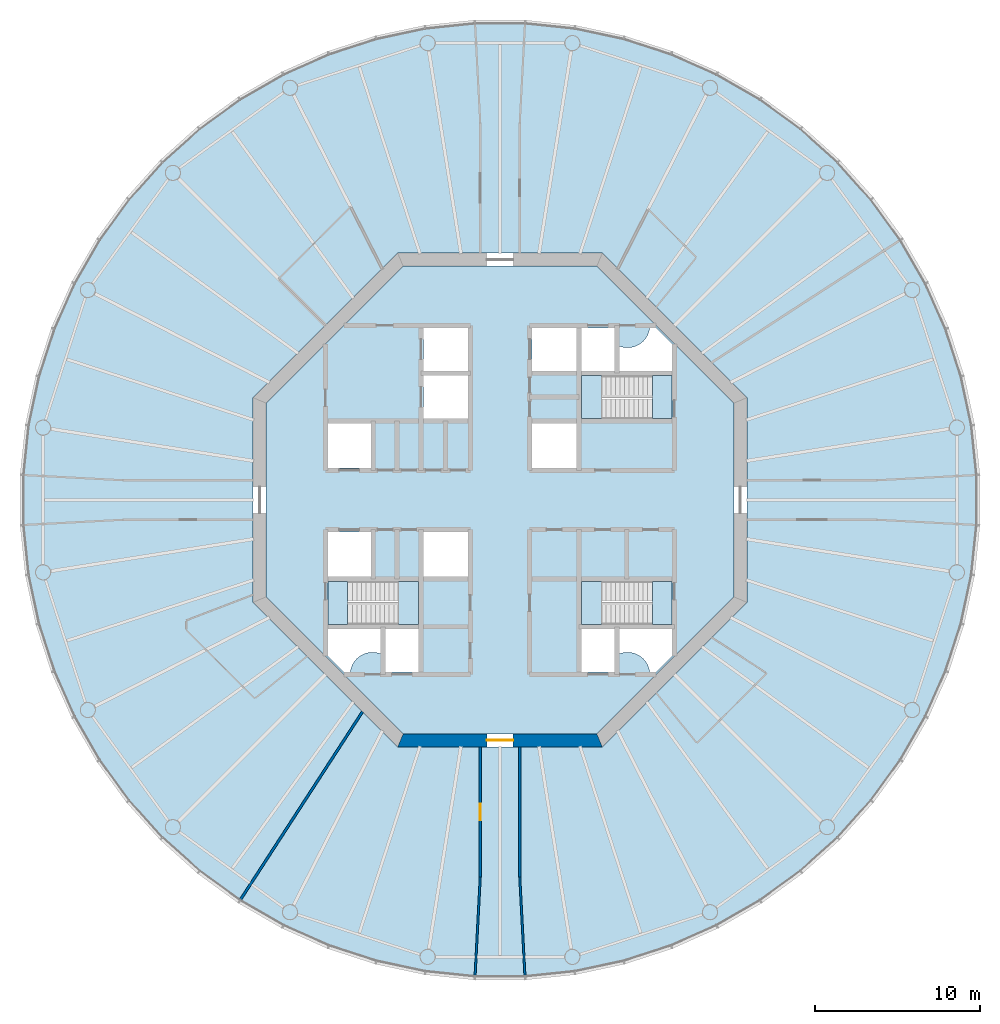
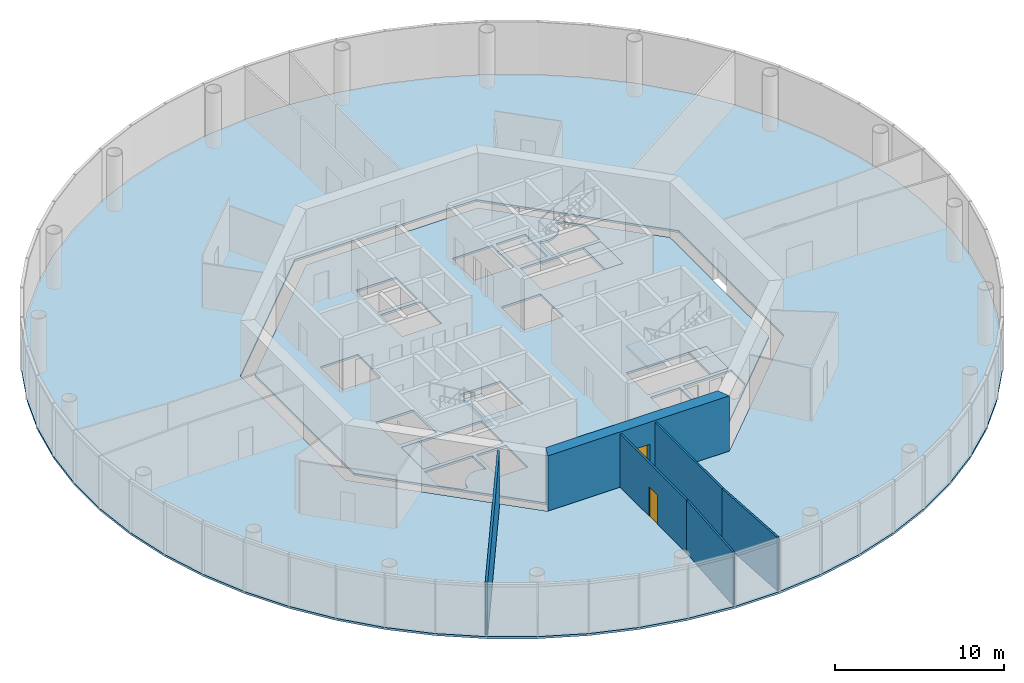
# One storey, part 2 of 13: 8 slabs, 6 walls, 2 doors, 2 openings, 3 elements without a shape of their own.
"""IFC4 building model written with IfcOpenShell, lengths in metres."""

from ifc_helpers import new_model, si_unit, direction, frame, frame_2d, origin, place, context, subcontext, project, spatial, polyline, rectangle, outline, extrude, material, layer, layer_set, type_object, element, fill, aggregate, save


model = new_model("IFC4")

# Units and contexts
model_context = context("Model", 3, precision=1e-05, world=origin(), true_north=direction((0.0, 1.0)))
body_context = subcontext(model_context, "Body", "Model", "MODEL_VIEW")
ifc_project = project(units=[si_unit("LENGTHUNIT", "METRE"), si_unit("AREAUNIT", "SQUARE_METRE"), si_unit("VOLUMEUNIT", "CUBIC_METRE"), si_unit("PLANEANGLEUNIT", "RADIAN"), si_unit("MASSUNIT", "GRAM", prefix="KILO")], contexts=[model_context])

# Site, building, storey
site_placement = place(None, origin())
site = spatial("IfcSite", under=ifc_project, at=site_placement, CompositionType="ELEMENT")
building_placement = place(site_placement, origin())
building = spatial("IfcBuilding", under=site, at=building_placement, Name="Entoto Ring Tower", CompositionType="ELEMENT")
storey_placement = place(building_placement, frame((0.0, 0.0, 302.0)))
storey = spatial("IfcBuildingStorey", under=building, at=storey_placement, Name="L69", CompositionType="ELEMENT", Elevation=302.0)

# Slabs
ifc_material_1 = material(Name="Concrete C30/37", Category="concrete")
ifc_layer_1 = layer(ifc_material_1, 0.14990234375)
ifc_layer_set_1 = layer_set([ifc_layer_1], Name="Concrete C30/37")
slab_type_1 = type_object("IfcSlabType", Name="Composite floor slab 150 mm", PredefinedType="FLOOR", material=ifc_layer_set_1)
slab_1_placement = place(storey_placement, frame((0.0, 0.0, -0.14990234375)))
element("IfcSlab", 1, at=slab_1_placement, inside=storey, type_object=slab_type_1, Name="Floor slab L69", PredefinedType="FLOOR", context=body_context, shape_type="SweptSolid", body=[
    extrude(outline(polyline([(118.74169921875, 84.55224609375), (118.1083984375, 87.53173828125), (117.167236328125, 90.428466796875), (115.92822265625, 93.211181640625), (114.4052734375, 95.848876953125), (112.614990234375, 98.313232421875), (110.576904296875, 100.576904296875), (108.313232421875, 102.614990234375), (105.848876953125, 104.4052734375), (103.211181640625, 105.92822265625), (100.428466796875, 107.167236328125), (97.53173828125, 108.1083984375), (94.55224609375, 108.74169921875), (91.52294921875, 109.06005859375), (88.47705078125, 109.06005859375), (85.44775390625, 108.74169921875), (82.46826171875, 108.1083984375), (79.571533203125, 107.167236328125), (76.788818359375, 105.92822265625), (74.151123046875, 104.4052734375), (71.686767578125, 102.614990234375), (69.423095703125, 100.576904296875), (67.385009765625, 98.313232421875), (65.5947265625, 95.848876953125), (64.07177734375, 93.211181640625), (62.832763671875, 90.428466796875), (61.8916015625, 87.53173828125), (61.25830078125, 84.55224609375), (60.93994140625, 81.52294921875), (60.93994140625, 78.47705078125), (61.25830078125, 75.44775390625), (61.8916015625, 72.46826171875), (62.832763671875, 69.571533203125), (64.07177734375, 66.788818359375), (65.5947265625, 64.151123046875), (67.385009765625, 61.686767578125), (69.423095703125, 59.423095703125), (71.686767578125, 57.385009765625), (74.151123046875, 55.5947265625), (76.788818359375, 54.07177734375), (79.571533203125, 52.832763671875), (82.46826171875, 51.8916015625), (85.44775390625, 51.25830078125), (88.47705078125, 50.93994140625), (91.52294921875, 50.93994140625), (94.55224609375, 51.25830078125), (97.53173828125, 51.8916015625), (100.428466796875, 52.832763671875), (103.211181640625, 54.07177734375), (105.848876953125, 55.5947265625), (108.313232421875, 57.385009765625), (110.576904296875, 59.423095703125), (112.614990234375, 61.686767578125), (114.4052734375, 64.151123046875), (115.92822265625, 66.788818359375), (117.167236328125, 69.571533203125), (118.1083984375, 72.46826171875), (118.74169921875, 75.44775390625), (119.06005859375, 78.47705078125), (119.06005859375, 81.52294921875), (118.74169921875, 84.55224609375)]), holes=[polyline([(105.0, 73.786865234375), (105.0, 86.213134765625), (96.213134765625, 95.0), (83.786865234375, 95.0), (75.0, 86.213134765625), (75.0, 73.786865234375), (83.786865234375, 65.0), (96.213134765625, 65.0), (105.0, 73.786865234375)])]), origin(), (0.0, 0.0, 1.0), 0.14990234375),
])
ifc_material_2 = material(Name="Concrete C40/50", Category="concrete")
ifc_layer_2 = layer(ifc_material_2, 0.14990234375)
ifc_layer_set_2 = layer_set([ifc_layer_2], Name="Concrete C40/50")
slab_type_2 = type_object("IfcSlabType", Name="Core floor slab 150 mm reinforced concrete C40/50", PredefinedType="FLOOR", material=ifc_layer_set_2)
slab_2_placement = place(storey_placement, frame((0.0, 0.0, -0.14990234375)))
element("IfcSlab", 2, at=slab_2_placement, inside=storey, type_object=slab_type_2, Name="Core floor L69", PredefinedType="FLOOR", context=body_context, shape_type="SweptSolid", body=[
    extrude(outline(polyline([(104.199951171875, 74.1181640625), (104.199951171875, 85.8818359375), (95.8818359375, 94.199951171875), (84.1181640625, 94.199951171875), (75.800048828125, 85.8818359375), (75.800048828125, 74.1181640625), (84.1181640625, 65.800048828125), (95.8818359375, 65.800048828125), (104.199951171875, 74.1181640625)]), holes=[polyline([(100.449951171875, 84.949951171875), (100.449951171875, 87.550048828125), (94.949951171875, 87.550048828125), (94.949951171875, 84.949951171875), (100.449951171875, 84.949951171875)]), polyline([(85.050048828125, 72.449951171875), (85.050048828125, 75.050048828125), (79.550048828125, 75.050048828125), (79.550048828125, 72.449951171875), (85.050048828125, 72.449951171875)]), polyline([(100.449951171875, 72.449951171875), (100.449951171875, 75.050048828125), (94.949951171875, 75.050048828125), (94.949951171875, 72.449951171875), (100.449951171875, 72.449951171875)]), polyline([(94.949951171875, 90.449951171875), (94.949951171875, 87.85009765625), (96.949951171875, 87.85009765625), (96.949951171875, 90.449951171875), (94.949951171875, 90.449951171875)]), polyline([(94.949951171875, 72.14990234375), (94.949951171875, 69.550048828125), (96.949951171875, 69.550048828125), (96.949951171875, 72.14990234375), (94.949951171875, 72.14990234375)]), polyline([(83.050048828125, 72.14990234375), (83.050048828125, 69.550048828125), (85.050048828125, 69.550048828125), (85.050048828125, 72.14990234375), (83.050048828125, 72.14990234375)]), polyline([(79.550048828125, 81.949951171875), (82.14990234375, 81.949951171875), (82.14990234375, 84.64990234375), (79.550048828125, 84.64990234375), (79.550048828125, 81.949951171875)]), polyline([(79.550048828125, 75.35009765625), (82.14990234375, 75.35009765625), (82.14990234375, 78.050048828125), (79.550048828125, 78.050048828125), (79.550048828125, 75.35009765625)]), polyline([(91.949951171875, 87.85009765625), (94.64990234375, 87.85009765625), (94.64990234375, 90.449951171875), (91.949951171875, 90.449951171875), (91.949951171875, 87.85009765625)]), polyline([(91.949951171875, 81.949951171875), (94.64990234375, 81.949951171875), (94.64990234375, 84.64990234375), (91.949951171875, 84.64990234375), (91.949951171875, 81.949951171875)]), polyline([(85.35009765625, 75.35009765625), (88.050048828125, 75.35009765625), (88.050048828125, 78.050048828125), (85.35009765625, 78.050048828125), (85.35009765625, 75.35009765625)]), polyline([(85.35009765625, 84.949951171875), (88.050048828125, 84.949951171875), (88.050048828125, 87.550048828125), (85.35009765625, 87.550048828125), (85.35009765625, 84.949951171875)]), polyline([(85.35009765625, 87.85009765625), (88.050048828125, 87.85009765625), (88.050048828125, 90.449951171875), (85.35009765625, 90.449951171875), (85.35009765625, 87.85009765625)]), polyline([(97.199951171875, 89.368408203125), (97.199951171875, 87.800048828125), (100.5, 87.800048828125), (100.5, 89.4404296875), (99.4404296875, 90.5), (99.09521484375, 90.5), (99.093505859375, 90.4677734375), (99.07421875, 90.336669921875), (99.0419921875, 90.2080078125), (98.997314453125, 90.08349609375), (98.940673828125, 89.963623046875), (98.87255859375, 89.85009765625), (98.793701171875, 89.74365234375), (98.70458984375, 89.6455078125), (98.6064453125, 89.556396484375), (98.5, 89.4775390625), (98.386474609375, 89.409423828125), (98.2666015625, 89.352783203125), (98.141845703125, 89.30810546875), (98.013427734375, 89.27587890625), (97.88232421875, 89.256591796875), (97.75, 89.25), (97.61767578125, 89.256591796875), (97.486572265625, 89.27587890625), (97.358154296875, 89.30810546875), (97.2333984375, 89.352783203125), (97.199951171875, 89.368408203125)]), polyline([(80.5595703125, 69.5), (80.90478515625, 69.5), (80.906494140625, 69.5322265625), (80.92578125, 69.663330078125), (80.9580078125, 69.7919921875), (81.002685546875, 69.91650390625), (81.059326171875, 70.036376953125), (81.12744140625, 70.14990234375), (81.206298828125, 70.25634765625), (81.29541015625, 70.3544921875), (81.3935546875, 70.443603515625), (81.5, 70.5224609375), (81.613525390625, 70.590576171875), (81.7333984375, 70.647216796875), (81.858154296875, 70.69189453125), (81.986572265625, 70.72412109375), (82.11767578125, 70.743408203125), (82.25, 70.75), (82.38232421875, 70.743408203125), (82.513427734375, 70.72412109375), (82.641845703125, 70.69189453125), (82.7666015625, 70.647216796875), (82.800048828125, 70.631591796875), (82.800048828125, 72.199951171875), (79.5, 72.199951171875), (79.5, 70.5595703125), (80.5595703125, 69.5)]), polyline([(99.09521484375, 69.5), (99.4404296875, 69.5), (100.5, 70.5595703125), (100.5, 72.199951171875), (97.199951171875, 72.199951171875), (97.199951171875, 70.631591796875), (97.2333984375, 70.647216796875), (97.358154296875, 70.69189453125), (97.486572265625, 70.72412109375), (97.61767578125, 70.743408203125), (97.75, 70.75), (97.88232421875, 70.743408203125), (98.013427734375, 70.72412109375), (98.141845703125, 70.69189453125), (98.2666015625, 70.647216796875), (98.386474609375, 70.590576171875), (98.5, 70.5224609375), (98.6064453125, 70.443603515625), (98.70458984375, 70.3544921875), (98.793701171875, 70.25634765625), (98.87255859375, 70.14990234375), (98.940673828125, 70.036376953125), (98.997314453125, 69.91650390625), (99.0419921875, 69.7919921875), (99.07421875, 69.663330078125), (99.093505859375, 69.5322265625), (99.09521484375, 69.5)])]), origin(), (0.0, 0.0, 1.0), 0.14990234375),
])

# Stair, slabs
ifc_material_3 = material(Name="Concrete C40/50", Category="concrete")
stair_type = type_object("IfcStairType", Name="Exit stair 1200 mm dog-leg reinforced concrete", PredefinedType="HALF_TURN_STAIR", material=ifc_material_3)
stair_1_placement = place(storey_placement, origin())
stair_1 = element("IfcStair", 3, at=stair_1_placement, inside=storey, type_object=stair_type, Name="Exit stair 1", PredefinedType="HALF_TURN_STAIR")
ifc_material_4 = material(Name="Concrete C40/50", Category="concrete")
ifc_layer_3 = layer(ifc_material_4, 0.199951171875)
ifc_layer_set_3 = layer_set([ifc_layer_3], Name="Concrete C40/50")
slab_type_3 = type_object("IfcSlabType", Name="Stair landing 200 mm reinforced concrete", PredefinedType="LANDING", material=ifc_layer_set_3)
slab_3_placement = place(storey_placement, frame((0.0, 0.0, -0.199951171875)))
slab_3 = element("IfcSlab", 4, at=slab_3_placement, type_object=slab_type_3, Name="ST1 landing 1", PredefinedType="LANDING", context=body_context, shape_type="SweptSolid", body=[
    extrude(outline(polyline([(100.449951171875, 84.949951171875), (100.449951171875, 87.550048828125), (99.25, 87.550048828125), (99.25, 84.949951171875), (100.449951171875, 84.949951171875)])), origin(), (0.0, 0.0, 1.0), 0.199951171875),
])
slab_4_placement = place(storey_placement, frame((0.0, 0.0, 1.800048828125)))
slab_4 = element("IfcSlab", 5, at=slab_4_placement, type_object=slab_type_3, Name="ST1 landing 2", PredefinedType="LANDING", context=body_context, shape_type="SweptSolid", body=[
    extrude(outline(polyline([(94.949951171875, 84.949951171875), (96.169921875, 84.949951171875), (96.169921875, 87.550048828125), (94.949951171875, 87.550048828125), (94.949951171875, 84.949951171875)])), origin(), (0.0, 0.0, 1.0), 0.199951171875),
])
aggregate(stair_1, [slab_3, slab_4])

stair_2_placement = place(storey_placement, origin())
stair_2 = element("IfcStair", 6, at=stair_2_placement, inside=storey, type_object=stair_type, Name="Exit stair 2", PredefinedType="HALF_TURN_STAIR")
slab_5_placement = place(storey_placement, frame((0.0, 0.0, -0.199951171875)))
slab_5 = element("IfcSlab", 7, at=slab_5_placement, type_object=slab_type_3, Name="ST2 landing 1", PredefinedType="LANDING", context=body_context, shape_type="SweptSolid", body=[
    extrude(outline(polyline([(80.75, 72.449951171875), (80.75, 75.050048828125), (79.550048828125, 75.050048828125), (79.550048828125, 72.449951171875), (80.75, 72.449951171875)])), origin(), (0.0, 0.0, 1.0), 0.199951171875),
])
slab_6_placement = place(storey_placement, frame((0.0, 0.0, 1.800048828125)))
slab_6 = element("IfcSlab", 8, at=slab_6_placement, type_object=slab_type_3, Name="ST2 landing 2", PredefinedType="LANDING", context=body_context, shape_type="SweptSolid", body=[
    extrude(outline(polyline([(83.830078125, 72.449951171875), (85.050048828125, 72.449951171875), (85.050048828125, 75.050048828125), (83.830078125, 75.050048828125), (83.830078125, 72.449951171875)])), origin(), (0.0, 0.0, 1.0), 0.199951171875),
])
aggregate(stair_2, [slab_5, slab_6])

stair_3_placement = place(storey_placement, origin())
stair_3 = element("IfcStair", 9, at=stair_3_placement, inside=storey, type_object=stair_type, Name="Exit stair 3", PredefinedType="HALF_TURN_STAIR")
slab_7_placement = place(storey_placement, frame((0.0, 0.0, -0.199951171875)))
slab_7 = element("IfcSlab", 10, at=slab_7_placement, type_object=slab_type_3, Name="ST3 landing 1", PredefinedType="LANDING", context=body_context, shape_type="SweptSolid", body=[
    extrude(outline(polyline([(100.449951171875, 72.449951171875), (100.449951171875, 75.050048828125), (99.25, 75.050048828125), (99.25, 72.449951171875), (100.449951171875, 72.449951171875)])), origin(), (0.0, 0.0, 1.0), 0.199951171875),
])
slab_8_placement = place(storey_placement, frame((0.0, 0.0, 1.800048828125)))
slab_8 = element("IfcSlab", 11, at=slab_8_placement, type_object=slab_type_3, Name="ST3 landing 2", PredefinedType="LANDING", context=body_context, shape_type="SweptSolid", body=[
    extrude(outline(polyline([(94.949951171875, 72.449951171875), (96.169921875, 72.449951171875), (96.169921875, 75.050048828125), (94.949951171875, 75.050048828125), (94.949951171875, 72.449951171875)])), origin(), (0.0, 0.0, 1.0), 0.199951171875),
])
aggregate(stair_3, [slab_7, slab_8])

# Wall, opening, door
ifc_material_5 = material(Name="Concrete C40/50", Category="concrete")
ifc_layer_4 = layer(ifc_material_5, 0.800048828125)
ifc_layer_set_4 = layer_set([ifc_layer_4], Name="Concrete C40/50")
wall_type_1 = type_object("IfcWallType", Name="Core shear wall 800 mm reinforced concrete C40/50", PredefinedType="SHEAR", material=ifc_layer_set_4)
wall_1_placement = place(storey_placement, frame((83.952392578125, 65.39990234375, 0.0), z_axis=(0.0, 0.0, 1.0), x_axis=(1.0, 0.0, 0.0)))
wall_1 = element("IfcWall", 12, at=wall_1_placement, inside=storey, type_object=wall_type_1, Name="wall-L69-core-6", PredefinedType="SHEAR", context=body_context, shape_type="SweptSolid", body=[
    extrude(outline(polyline([(-0.165771484375, -0.39990234375), (12.260986328125, -0.39990234375), (11.929443359375, 0.39990234375), (0.165771484375, 0.39990234375), (-0.165771484375, -0.39990234375)])), origin(), (0.0, 0.0, 1.0), 4.0),
])
opening_1_placement = place(wall_1_placement, frame((5.24755859375, 0.0, 0.0)))
opening_1 = element("IfcOpeningElement", 13, at=opening_1_placement, cuts=wall_1, Name="Opening K-04", PredefinedType="OPENING", context=body_context, shape_type="SweptSolid", body=[
    extrude(rectangle(XDim=1.60009765625, YDim=2.39990234375, at=frame_2d((0.800048828125, 1.199951171875))), frame((0.0, 0.41015625, 0.0), z_axis=(0.0, -1.0, 0.0), x_axis=(1.0, 0.0, 0.0)), (0.0, 0.0, 1.0), 0.820068359375),
])
ifc_material_6 = material(Name="Steel door leaf, fire rated", Category="steel")
ifc_layer_5 = layer(ifc_material_6, 0.050048828125)
ifc_layer_set_5 = layer_set([ifc_layer_5], Name="Steel door leaf, fire rated")
door_type_1 = type_object("IfcDoorType", Name="Entrance door FD60 1600 x 2400 double leaf", OperationType="DOUBLE_DOOR_SINGLE_SWING", PredefinedType="DOOR", material=ifc_layer_set_5)
door_1_placement = place(opening_1_placement, origin())
door_1 = element("IfcDoor", 14, at=door_1_placement, inside=storey, type_object=door_type_1, Name="Entrance door K-04", OperationType="DOUBLE_DOOR_SINGLE_SWING", OverallHeight=2.39990234375, OverallWidth=1.60009765625, PredefinedType="DOOR", context=body_context, shape_type="SweptSolid", body=[
    extrude(rectangle(XDim=1.60009765625, YDim=2.39990234375, at=frame_2d((0.800048828125, 1.199951171875))), frame((0.0, 0.02490234375, 0.0), z_axis=(0.0, -1.0, 0.0), x_axis=(1.0, 0.0, 0.0)), (0.0, 0.0, 1.0), 0.050048828125),
])
fill(opening_1, door_1)

ifc_material_7 = material(Name="Fire-resisting plasterboard on steel studs", Category="steel")
ifc_layer_6 = layer(ifc_material_7, 0.125)
ifc_layer_set_6 = layer_set([ifc_layer_6], Name="Fire-resisting plasterboard on steel studs")
wall_type_2 = type_object("IfcWallType", Name="Corridor wall 125 mm one-hour plasterboard on steel studs", PredefinedType="PARTITIONING", material=ifc_layer_set_6)
wall_2_placement = place(storey_placement, frame((88.800048828125, 57.1025390625, 0.0), z_axis=(0.0, 0.0, 1.0), x_axis=(0.0, 1.0, 0.0)))
wall_2 = element("IfcWall", 15, at=wall_2_placement, inside=storey, type_object=wall_type_2, Name="partition-L69-003", PredefinedType="PARTITIONING", context=body_context, shape_type="SweptSolid", body=[
    extrude(rectangle(XDim=7.8974609375, YDim=0.125, at=frame_2d((3.94873046875, 0.0))), origin(), (0.0, 0.0, 1.0), 3.85009765625),
])
opening_2_placement = place(wall_2_placement, frame((3.44873046875, 0.0, 0.0)))
opening_2 = element("IfcOpeningElement", 16, at=opening_2_placement, cuts=wall_2, Name="Opening A30-D08", PredefinedType="OPENING", context=body_context, shape_type="SweptSolid", body=[
    extrude(rectangle(XDim=1.0, YDim=2.10009765625, at=frame_2d((0.5, 1.050048828125))), frame((0.0, 0.072509765625, 0.0), z_axis=(0.0, -1.0, 0.0), x_axis=(1.0, 0.0, 0.0)), (0.0, 0.0, 1.0), 0.14501953125),
])
ifc_material_8 = material(Name="Fire-resisting timber door set", Category="wood")
door_type_2 = type_object("IfcDoorType", Name="Door 1000 x 2100 single leaf FD30S fire door", OperationType="NOTDEFINED", PredefinedType="DOOR", material=ifc_material_8)
door_2_placement = place(opening_2_placement, origin())
door_2 = element("IfcDoor", 17, at=door_2_placement, inside=storey, type_object=door_type_2, Name="Door A30-D08", OperationType="SINGLE_SWING_RIGHT", OverallHeight=2.10009765625, OverallWidth=1.0, PredefinedType="DOOR", context=body_context, shape_type="SweptSolid", body=[
    extrude(rectangle(XDim=1.0, YDim=2.10009765625, at=frame_2d((0.5, 1.050048828125))), frame((0.0, 0.02490234375, 0.0), z_axis=(0.0, -1.0, 0.0), x_axis=(1.0, 0.0, 0.0)), (0.0, 0.0, 1.0), 0.050048828125),
])
fill(opening_2, door_2)

# Walls
wall_3_placement = place(storey_placement, frame((91.199951171875, 57.1025390625, 0.0), z_axis=(0.0, 0.0, 1.0), x_axis=(0.0, 1.0, 0.0)))
element("IfcWall", 18, at=wall_3_placement, inside=storey, type_object=wall_type_2, Name="partition-L69-005", PredefinedType="PARTITIONING", context=body_context, shape_type="SweptSolid", body=[
    extrude(rectangle(XDim=7.8974609375, YDim=0.125, at=frame_2d((3.94873046875, 0.0))), origin(), (0.0, 0.0, 1.0), 3.85009765625),
])
for number, where, z_axis, x_axis, name in (
    (19, (88.4853515625, 51.099609375, 0.0), (0.0, 0.0, 1.0), (0.052339150565, 0.998629367342, 0.0), "partition-L69-011"),
    (20, (91.5146484375, 51.099609375, 0.0), (0.0, 0.0, 1.0), (-0.052339150565, 0.998629367342, 0.0), "partition-L69-014"),
):
    element("IfcWall", number, at=place(storey_placement, frame(where, z_axis=z_axis, x_axis=x_axis)), inside=storey, type_object=wall_type_2, Name=name, PredefinedType="PARTITIONING", context=body_context, shape_type="SweptSolid", body=[
        extrude(rectangle(XDim=6.008056640625, YDim=0.125, at=frame_2d((3.00390625, 0.0))), origin(), (0.0, 0.0, 1.0), 3.85009765625),
    ])
ifc_material_9 = material(Name="Fire-resisting acoustic plasterboard on steel studs", Category="steel")
ifc_layer_7 = layer(ifc_material_9, 0.14990234375)
ifc_layer_set_7 = layer_set([ifc_layer_7], Name="Fire-resisting acoustic plasterboard on steel studs")
wall_type_3 = type_object("IfcWallType", Name="Party wall 150 mm one-hour acoustic plasterboard on steel studs", PredefinedType="PARTITIONING", material=ifc_layer_set_7)
wall_4_placement = place(storey_placement, frame((74.238037109375, 55.72900390625, 0.0), z_axis=(0.0, 0.0, 1.0), x_axis=(0.544650850813, 0.838662894558, 0.0)))
element("IfcWall", 21, at=wall_4_placement, inside=storey, type_object=wall_type_3, Name="partition-L69-017", PredefinedType="PARTITIONING", context=body_context, shape_type="SweptSolid", body=[
    extrude(rectangle(XDim=13.60498046875, YDim=0.14990234375, at=frame_2d((6.802490234375, 0.0))), origin(), (0.0, 0.0, 1.0), 3.85009765625),
])

save(model, "model.ifc")
